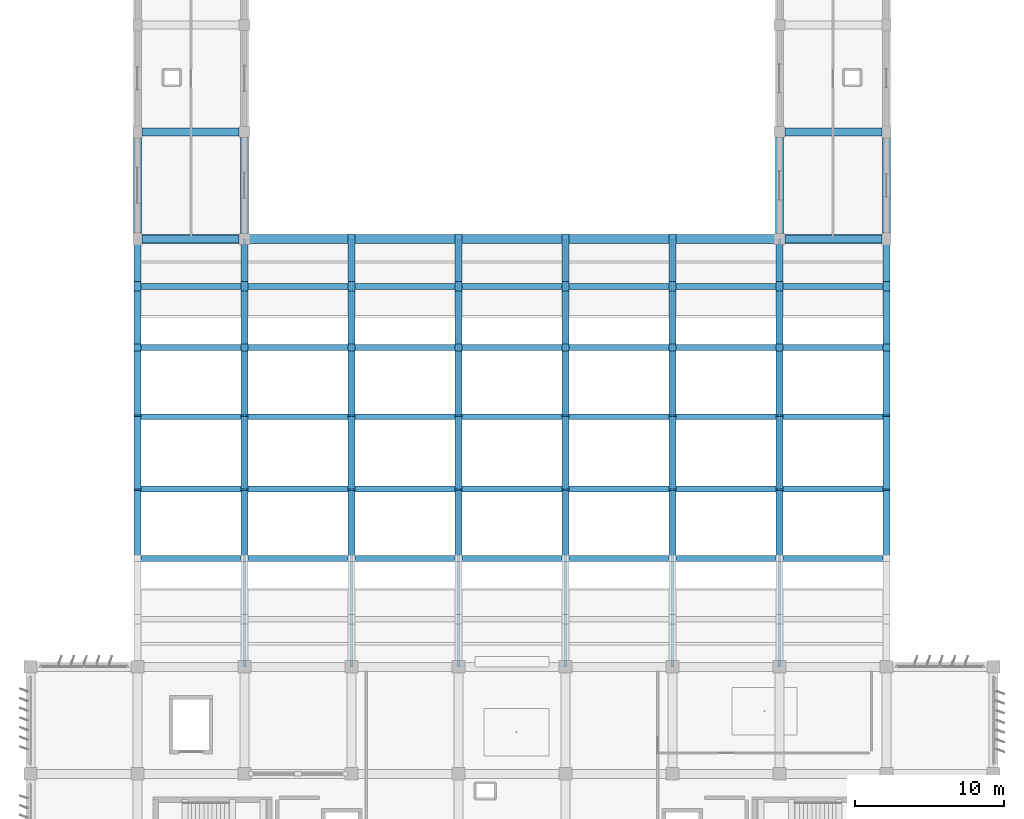
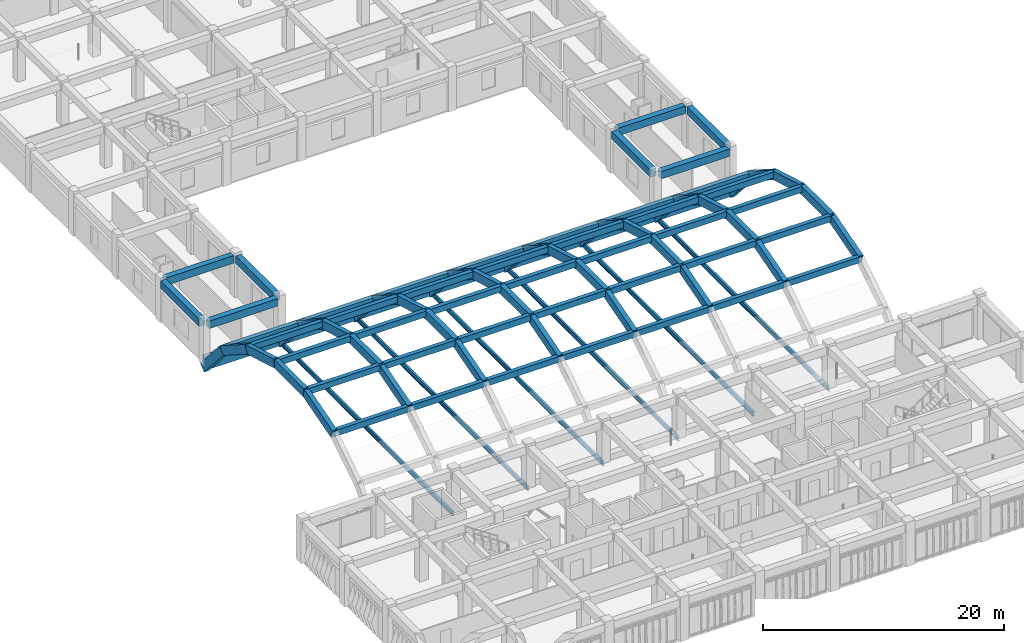
# One storey, part 20 of 48: 96 beams.
"""IFC4 building model written with IfcOpenShell, lengths in metres."""

from ifc_helpers import new_model, si_unit, direction, frame, origin, origin_2d, place, context, subcontext, project, spatial, rectangle, i_section, extrude, material, material_profile, profile_set, type_object, element, save


model = new_model("IFC4")

# Units and contexts
model_context = context("Model", 3, precision=1e-05, world=origin(), true_north=direction((0.0, 1.0)))
body_context = subcontext(model_context, "Body", "Model", "MODEL_VIEW")
ifc_project = project(units=[si_unit("LENGTHUNIT", "METRE"), si_unit("AREAUNIT", "SQUARE_METRE"), si_unit("VOLUMEUNIT", "CUBIC_METRE"), si_unit("PLANEANGLEUNIT", "RADIAN"), si_unit("MASSUNIT", "GRAM", prefix="KILO")], contexts=[model_context])

# Site, building, storey
site_placement = place(None, origin())
site = spatial("IfcSite", under=ifc_project, at=site_placement, CompositionType="ELEMENT")
building_placement = place(site_placement, origin())
building = spatial("IfcBuilding", under=site, at=building_placement, Name="Kazehaya Institute of Natural Sciences", CompositionType="ELEMENT")
storey_placement = place(building_placement, frame((0.0, 0.0, 19.800048828125)))
storey = spatial("IfcBuildingStorey", under=building, at=storey_placement, Name="L04", CompositionType="ELEMENT", Elevation=19.800048828125)

# Beams
ifc_material_1 = material(Name="Concrete Fc36", Category="concrete")
ifc_material_profile_1 = material_profile(ifc_material_1, rectangle(XDim=0.449951171875, YDim=0.85009765625, at=origin_2d()), Name="RC-450x850")
ifc_profile_set_1 = profile_set([ifc_material_profile_1], Name="Concrete Fc36")
beam_type_1 = type_object("IfcBeamType", Name="BM-AR-450x850", PredefinedType="BEAM", material=ifc_profile_set_1)
beam_1_placement = place(storey_placement, frame((61.800048828125, 42.9033203125, 5.8369140625), z_axis=(0.0, 0.960035434208, 0.279878482677), x_axis=(-1.0, 0.0, 0.0)))
element("IfcBeam", 1, at=beam_1_placement, inside=storey, type_object=beam_type_1, Name="SH-VOL2 transverse arch rib SH-VOL2-RIB-61-05", PredefinedType="BEAM", context=body_context, shape_type="SweptSolid", body=[
    extrude(rectangle(XDim=0.449951171875, YDim=0.85009765625, at=origin_2d()), origin(), (0.0, 0.0, 1.0), 4.860595703125),
])
beam_2_placement = place(storey_placement, frame((61.800048828125, 47.569580078125, 7.197265625), z_axis=(0.0, 1.0, 0.0), x_axis=(-1.0, 0.0, 0.0)))
element("IfcBeam", 2, at=beam_2_placement, inside=storey, type_object=beam_type_1, Name="SH-VOL2 transverse arch rib SH-VOL2-RIB-61-07", PredefinedType="BEAM", context=body_context, shape_type="SweptSolid", body=[
    extrude(rectangle(XDim=0.449951171875, YDim=0.85009765625, at=origin_2d()), origin(), (0.0, 0.0, 1.0), 4.86083984375),
])
for number, where, z_axis, x_axis, name in (
    (3, (61.800048828125, 52.430419921875, 7.197265625), (0.0, 0.960035434208, -0.279878482677), (-1.0, 0.0, 0.0), "SH-VOL2 transverse arch rib SH-VOL2-RIB-61-09"),
    (4, (61.800048828125, 57.0966796875, 5.8369140625), (0.0, 0.843332482097, -0.537392151636), (-1.0, 0.0, 0.0), "SH-VOL2 transverse arch rib SH-VOL2-RIB-61-11"),
):
    element("IfcBeam", number, at=place(storey_placement, frame(where, z_axis=z_axis, x_axis=x_axis)), inside=storey, type_object=beam_type_1, Name=name, PredefinedType="BEAM", context=body_context, shape_type="SweptSolid", body=[
        extrude(rectangle(XDim=0.449951171875, YDim=0.85009765625, at=origin_2d()), origin(), (0.0, 0.0, 1.0), 4.860595703125),
    ])
beam_3_placement = place(storey_placement, frame((61.800048828125, 61.19580078125, 3.224853515625), z_axis=(0.0, 0.659222645841, -0.751947806175), x_axis=(-1.0, 0.0, 0.0)))
element("IfcBeam", 5, at=beam_3_placement, inside=storey, type_object=beam_type_1, Name="SH-VOL2 transverse arch rib SH-VOL2-RIB-61-13", PredefinedType="BEAM", context=body_context, shape_type="SweptSolid", body=[
    extrude(rectangle(XDim=0.449951171875, YDim=0.85009765625, at=origin_2d()), origin(), (0.0, 0.0, 1.0), 4.8603515625),
])
beam_4_placement = place(storey_placement, frame((69.0, 42.9033203125, 5.8369140625), z_axis=(0.0, 0.960035434208, 0.279878482677), x_axis=(-1.0, 0.0, 0.0)))
element("IfcBeam", 6, at=beam_4_placement, inside=storey, type_object=beam_type_1, Name="SH-VOL2 transverse arch rib SH-VOL2-RIB-69-05", PredefinedType="BEAM", context=body_context, shape_type="SweptSolid", body=[
    extrude(rectangle(XDim=0.449951171875, YDim=0.85009765625, at=origin_2d()), origin(), (0.0, 0.0, 1.0), 4.860595703125),
])
beam_5_placement = place(storey_placement, frame((69.0, 47.569580078125, 7.197265625), z_axis=(0.0, 1.0, 0.0), x_axis=(-1.0, 0.0, 0.0)))
element("IfcBeam", 7, at=beam_5_placement, inside=storey, type_object=beam_type_1, Name="SH-VOL2 transverse arch rib SH-VOL2-RIB-69-07", PredefinedType="BEAM", context=body_context, shape_type="SweptSolid", body=[
    extrude(rectangle(XDim=0.449951171875, YDim=0.85009765625, at=origin_2d()), origin(), (0.0, 0.0, 1.0), 4.86083984375),
])
for number, where, z_axis, x_axis, name in (
    (8, (69.0, 52.430419921875, 7.197265625), (0.0, 0.960035434208, -0.279878482677), (-1.0, 0.0, 0.0), "SH-VOL2 transverse arch rib SH-VOL2-RIB-69-09"),
    (9, (69.0, 57.0966796875, 5.8369140625), (0.0, 0.843332482097, -0.537392151636), (-1.0, 0.0, 0.0), "SH-VOL2 transverse arch rib SH-VOL2-RIB-69-11"),
):
    element("IfcBeam", number, at=place(storey_placement, frame(where, z_axis=z_axis, x_axis=x_axis)), inside=storey, type_object=beam_type_1, Name=name, PredefinedType="BEAM", context=body_context, shape_type="SweptSolid", body=[
        extrude(rectangle(XDim=0.449951171875, YDim=0.85009765625, at=origin_2d()), origin(), (0.0, 0.0, 1.0), 4.860595703125),
    ])
beam_6_placement = place(storey_placement, frame((69.0, 61.19580078125, 3.224853515625), z_axis=(0.0, 0.659222645841, -0.751947806175), x_axis=(-1.0, 0.0, 0.0)))
element("IfcBeam", 10, at=beam_6_placement, inside=storey, type_object=beam_type_1, Name="SH-VOL2 transverse arch rib SH-VOL2-RIB-69-13", PredefinedType="BEAM", context=body_context, shape_type="SweptSolid", body=[
    extrude(rectangle(XDim=0.449951171875, YDim=0.85009765625, at=origin_2d()), origin(), (0.0, 0.0, 1.0), 4.8603515625),
])
beam_7_placement = place(storey_placement, frame((76.199951171875, 42.9033203125, 5.8369140625), z_axis=(0.0, 0.960035434208, 0.279878482677), x_axis=(-1.0, 0.0, 0.0)))
element("IfcBeam", 11, at=beam_7_placement, inside=storey, type_object=beam_type_1, Name="SH-VOL2 transverse arch rib SH-VOL2-RIB-76-05", PredefinedType="BEAM", context=body_context, shape_type="SweptSolid", body=[
    extrude(rectangle(XDim=0.449951171875, YDim=0.85009765625, at=origin_2d()), origin(), (0.0, 0.0, 1.0), 4.860595703125),
])
beam_8_placement = place(storey_placement, frame((76.199951171875, 47.569580078125, 7.197265625), z_axis=(0.0, 1.0, 0.0), x_axis=(-1.0, 0.0, 0.0)))
element("IfcBeam", 12, at=beam_8_placement, inside=storey, type_object=beam_type_1, Name="SH-VOL2 transverse arch rib SH-VOL2-RIB-76-07", PredefinedType="BEAM", context=body_context, shape_type="SweptSolid", body=[
    extrude(rectangle(XDim=0.449951171875, YDim=0.85009765625, at=origin_2d()), origin(), (0.0, 0.0, 1.0), 4.86083984375),
])
for number, where, z_axis, x_axis, name in (
    (13, (76.199951171875, 52.430419921875, 7.197265625), (0.0, 0.960035434208, -0.279878482677), (-1.0, 0.0, 0.0), "SH-VOL2 transverse arch rib SH-VOL2-RIB-76-09"),
    (14, (76.199951171875, 57.0966796875, 5.8369140625), (0.0, 0.843332482097, -0.537392151636), (-1.0, 0.0, 0.0), "SH-VOL2 transverse arch rib SH-VOL2-RIB-76-11"),
):
    element("IfcBeam", number, at=place(storey_placement, frame(where, z_axis=z_axis, x_axis=x_axis)), inside=storey, type_object=beam_type_1, Name=name, PredefinedType="BEAM", context=body_context, shape_type="SweptSolid", body=[
        extrude(rectangle(XDim=0.449951171875, YDim=0.85009765625, at=origin_2d()), origin(), (0.0, 0.0, 1.0), 4.860595703125),
    ])
beam_9_placement = place(storey_placement, frame((76.199951171875, 61.19580078125, 3.224853515625), z_axis=(0.0, 0.659222645841, -0.751947806175), x_axis=(-1.0, 0.0, 0.0)))
element("IfcBeam", 15, at=beam_9_placement, inside=storey, type_object=beam_type_1, Name="SH-VOL2 transverse arch rib SH-VOL2-RIB-76-13", PredefinedType="BEAM", context=body_context, shape_type="SweptSolid", body=[
    extrude(rectangle(XDim=0.449951171875, YDim=0.85009765625, at=origin_2d()), origin(), (0.0, 0.0, 1.0), 4.8603515625),
])
beam_10_placement = place(storey_placement, frame((83.39990234375, 42.9033203125, 5.8369140625), z_axis=(0.0, 0.960035434208, 0.279878482677), x_axis=(-1.0, 0.0, 0.0)))
element("IfcBeam", 16, at=beam_10_placement, inside=storey, type_object=beam_type_1, Name="SH-VOL2 transverse arch rib SH-VOL2-RIB-83-05", PredefinedType="BEAM", context=body_context, shape_type="SweptSolid", body=[
    extrude(rectangle(XDim=0.449951171875, YDim=0.85009765625, at=origin_2d()), origin(), (0.0, 0.0, 1.0), 4.860595703125),
])
beam_11_placement = place(storey_placement, frame((83.39990234375, 47.569580078125, 7.197265625), z_axis=(0.0, 1.0, 0.0), x_axis=(-1.0, 0.0, 0.0)))
element("IfcBeam", 17, at=beam_11_placement, inside=storey, type_object=beam_type_1, Name="SH-VOL2 transverse arch rib SH-VOL2-RIB-83-07", PredefinedType="BEAM", context=body_context, shape_type="SweptSolid", body=[
    extrude(rectangle(XDim=0.449951171875, YDim=0.85009765625, at=origin_2d()), origin(), (0.0, 0.0, 1.0), 4.86083984375),
])
for number, where, z_axis, x_axis, name in (
    (18, (83.39990234375, 52.430419921875, 7.197265625), (0.0, 0.960035434208, -0.279878482677), (-1.0, 0.0, 0.0), "SH-VOL2 transverse arch rib SH-VOL2-RIB-83-09"),
    (19, (83.39990234375, 57.0966796875, 5.8369140625), (0.0, 0.843332482097, -0.537392151636), (-1.0, 0.0, 0.0), "SH-VOL2 transverse arch rib SH-VOL2-RIB-83-11"),
):
    element("IfcBeam", number, at=place(storey_placement, frame(where, z_axis=z_axis, x_axis=x_axis)), inside=storey, type_object=beam_type_1, Name=name, PredefinedType="BEAM", context=body_context, shape_type="SweptSolid", body=[
        extrude(rectangle(XDim=0.449951171875, YDim=0.85009765625, at=origin_2d()), origin(), (0.0, 0.0, 1.0), 4.860595703125),
    ])
beam_12_placement = place(storey_placement, frame((83.39990234375, 61.19580078125, 3.224853515625), z_axis=(0.0, 0.659222645841, -0.751947806175), x_axis=(-1.0, 0.0, 0.0)))
element("IfcBeam", 20, at=beam_12_placement, inside=storey, type_object=beam_type_1, Name="SH-VOL2 transverse arch rib SH-VOL2-RIB-83-13", PredefinedType="BEAM", context=body_context, shape_type="SweptSolid", body=[
    extrude(rectangle(XDim=0.449951171875, YDim=0.85009765625, at=origin_2d()), origin(), (0.0, 0.0, 1.0), 4.8603515625),
])
beam_13_placement = place(storey_placement, frame((90.60009765625, 42.9033203125, 5.8369140625), z_axis=(0.0, 0.960035434208, 0.279878482677), x_axis=(-1.0, 0.0, 0.0)))
element("IfcBeam", 21, at=beam_13_placement, inside=storey, type_object=beam_type_1, Name="SH-VOL2 transverse arch rib SH-VOL2-RIB-90-05", PredefinedType="BEAM", context=body_context, shape_type="SweptSolid", body=[
    extrude(rectangle(XDim=0.449951171875, YDim=0.85009765625, at=origin_2d()), origin(), (0.0, 0.0, 1.0), 4.860595703125),
])
beam_14_placement = place(storey_placement, frame((90.60009765625, 47.569580078125, 7.197265625), z_axis=(0.0, 1.0, 0.0), x_axis=(-1.0, 0.0, 0.0)))
element("IfcBeam", 22, at=beam_14_placement, inside=storey, type_object=beam_type_1, Name="SH-VOL2 transverse arch rib SH-VOL2-RIB-90-07", PredefinedType="BEAM", context=body_context, shape_type="SweptSolid", body=[
    extrude(rectangle(XDim=0.449951171875, YDim=0.85009765625, at=origin_2d()), origin(), (0.0, 0.0, 1.0), 4.86083984375),
])
for number, where, z_axis, x_axis, name in (
    (23, (90.60009765625, 52.430419921875, 7.197265625), (0.0, 0.960035434208, -0.279878482677), (-1.0, 0.0, 0.0), "SH-VOL2 transverse arch rib SH-VOL2-RIB-90-09"),
    (24, (90.60009765625, 57.0966796875, 5.8369140625), (0.0, 0.843332482097, -0.537392151636), (-1.0, 0.0, 0.0), "SH-VOL2 transverse arch rib SH-VOL2-RIB-90-11"),
):
    element("IfcBeam", number, at=place(storey_placement, frame(where, z_axis=z_axis, x_axis=x_axis)), inside=storey, type_object=beam_type_1, Name=name, PredefinedType="BEAM", context=body_context, shape_type="SweptSolid", body=[
        extrude(rectangle(XDim=0.449951171875, YDim=0.85009765625, at=origin_2d()), origin(), (0.0, 0.0, 1.0), 4.860595703125),
    ])
beam_15_placement = place(storey_placement, frame((90.60009765625, 61.19580078125, 3.224853515625), z_axis=(0.0, 0.659222645841, -0.751947806175), x_axis=(-1.0, 0.0, 0.0)))
element("IfcBeam", 25, at=beam_15_placement, inside=storey, type_object=beam_type_1, Name="SH-VOL2 transverse arch rib SH-VOL2-RIB-90-13", PredefinedType="BEAM", context=body_context, shape_type="SweptSolid", body=[
    extrude(rectangle(XDim=0.449951171875, YDim=0.85009765625, at=origin_2d()), origin(), (0.0, 0.0, 1.0), 4.8603515625),
])
beam_16_placement = place(storey_placement, frame((97.800048828125, 42.9033203125, 5.8369140625), z_axis=(0.0, 0.960035434208, 0.279878482677), x_axis=(-1.0, 0.0, 0.0)))
element("IfcBeam", 26, at=beam_16_placement, inside=storey, type_object=beam_type_1, Name="SH-VOL2 transverse arch rib SH-VOL2-RIB-97-05", PredefinedType="BEAM", context=body_context, shape_type="SweptSolid", body=[
    extrude(rectangle(XDim=0.449951171875, YDim=0.85009765625, at=origin_2d()), origin(), (0.0, 0.0, 1.0), 4.860595703125),
])
beam_17_placement = place(storey_placement, frame((97.800048828125, 47.569580078125, 7.197265625), z_axis=(0.0, 1.0, 0.0), x_axis=(-1.0, 0.0, 0.0)))
element("IfcBeam", 27, at=beam_17_placement, inside=storey, type_object=beam_type_1, Name="SH-VOL2 transverse arch rib SH-VOL2-RIB-97-07", PredefinedType="BEAM", context=body_context, shape_type="SweptSolid", body=[
    extrude(rectangle(XDim=0.449951171875, YDim=0.85009765625, at=origin_2d()), origin(), (0.0, 0.0, 1.0), 4.86083984375),
])
for number, where, z_axis, x_axis, name in (
    (28, (97.800048828125, 52.430419921875, 7.197265625), (0.0, 0.960035434208, -0.279878482677), (-1.0, 0.0, 0.0), "SH-VOL2 transverse arch rib SH-VOL2-RIB-97-09"),
    (29, (97.800048828125, 57.0966796875, 5.8369140625), (0.0, 0.843332482097, -0.537392151636), (-1.0, 0.0, 0.0), "SH-VOL2 transverse arch rib SH-VOL2-RIB-97-11"),
):
    element("IfcBeam", number, at=place(storey_placement, frame(where, z_axis=z_axis, x_axis=x_axis)), inside=storey, type_object=beam_type_1, Name=name, PredefinedType="BEAM", context=body_context, shape_type="SweptSolid", body=[
        extrude(rectangle(XDim=0.449951171875, YDim=0.85009765625, at=origin_2d()), origin(), (0.0, 0.0, 1.0), 4.860595703125),
    ])
beam_18_placement = place(storey_placement, frame((97.800048828125, 61.19580078125, 3.224853515625), z_axis=(0.0, 0.659222645841, -0.751947806175), x_axis=(-1.0, 0.0, 0.0)))
element("IfcBeam", 30, at=beam_18_placement, inside=storey, type_object=beam_type_1, Name="SH-VOL2 transverse arch rib SH-VOL2-RIB-97-13", PredefinedType="BEAM", context=body_context, shape_type="SweptSolid", body=[
    extrude(rectangle(XDim=0.449951171875, YDim=0.85009765625, at=origin_2d()), origin(), (0.0, 0.0, 1.0), 4.8603515625),
])
beam_19_placement = place(storey_placement, frame((105.0, 42.9033203125, 5.8369140625), z_axis=(0.0, 0.960035434208, 0.279878482677), x_axis=(-1.0, 0.0, 0.0)))
element("IfcBeam", 31, at=beam_19_placement, inside=storey, type_object=beam_type_1, Name="SH-VOL2 transverse arch rib SH-VOL2-RIB-105-05", PredefinedType="BEAM", context=body_context, shape_type="SweptSolid", body=[
    extrude(rectangle(XDim=0.449951171875, YDim=0.85009765625, at=origin_2d()), origin(), (0.0, 0.0, 1.0), 4.860595703125),
])
beam_20_placement = place(storey_placement, frame((105.0, 47.569580078125, 7.197265625), z_axis=(0.0, 1.0, 0.0), x_axis=(-1.0, 0.0, 0.0)))
element("IfcBeam", 32, at=beam_20_placement, inside=storey, type_object=beam_type_1, Name="SH-VOL2 transverse arch rib SH-VOL2-RIB-105-07", PredefinedType="BEAM", context=body_context, shape_type="SweptSolid", body=[
    extrude(rectangle(XDim=0.449951171875, YDim=0.85009765625, at=origin_2d()), origin(), (0.0, 0.0, 1.0), 4.86083984375),
])
for number, where, z_axis, x_axis, name in (
    (33, (105.0, 52.430419921875, 7.197265625), (0.0, 0.960035434208, -0.279878482677), (-1.0, 0.0, 0.0), "SH-VOL2 transverse arch rib SH-VOL2-RIB-105-09"),
    (34, (105.0, 57.0966796875, 5.8369140625), (0.0, 0.843332482097, -0.537392151636), (-1.0, 0.0, 0.0), "SH-VOL2 transverse arch rib SH-VOL2-RIB-105-11"),
):
    element("IfcBeam", number, at=place(storey_placement, frame(where, z_axis=z_axis, x_axis=x_axis)), inside=storey, type_object=beam_type_1, Name=name, PredefinedType="BEAM", context=body_context, shape_type="SweptSolid", body=[
        extrude(rectangle(XDim=0.449951171875, YDim=0.85009765625, at=origin_2d()), origin(), (0.0, 0.0, 1.0), 4.860595703125),
    ])
beam_21_placement = place(storey_placement, frame((105.0, 61.19580078125, 3.224853515625), z_axis=(0.0, 0.659222645841, -0.751947806175), x_axis=(-1.0, 0.0, 0.0)))
element("IfcBeam", 35, at=beam_21_placement, inside=storey, type_object=beam_type_1, Name="SH-VOL2 transverse arch rib SH-VOL2-RIB-105-13", PredefinedType="BEAM", context=body_context, shape_type="SweptSolid", body=[
    extrude(rectangle(XDim=0.449951171875, YDim=0.85009765625, at=origin_2d()), origin(), (0.0, 0.0, 1.0), 4.8603515625),
])
beam_22_placement = place(storey_placement, frame((112.199951171875, 42.9033203125, 5.8369140625), z_axis=(0.0, 0.960035434208, 0.279878482677), x_axis=(-1.0, 0.0, 0.0)))
element("IfcBeam", 36, at=beam_22_placement, inside=storey, type_object=beam_type_1, Name="SH-VOL2 transverse arch rib SH-VOL2-RIB-112-05", PredefinedType="BEAM", context=body_context, shape_type="SweptSolid", body=[
    extrude(rectangle(XDim=0.449951171875, YDim=0.85009765625, at=origin_2d()), origin(), (0.0, 0.0, 1.0), 4.860595703125),
])
beam_23_placement = place(storey_placement, frame((112.199951171875, 47.569580078125, 7.197265625), z_axis=(0.0, 1.0, 0.0), x_axis=(-1.0, 0.0, 0.0)))
element("IfcBeam", 37, at=beam_23_placement, inside=storey, type_object=beam_type_1, Name="SH-VOL2 transverse arch rib SH-VOL2-RIB-112-07", PredefinedType="BEAM", context=body_context, shape_type="SweptSolid", body=[
    extrude(rectangle(XDim=0.449951171875, YDim=0.85009765625, at=origin_2d()), origin(), (0.0, 0.0, 1.0), 4.86083984375),
])
for number, where, z_axis, x_axis, name in (
    (38, (112.199951171875, 52.430419921875, 7.197265625), (0.0, 0.960035434208, -0.279878482677), (-1.0, 0.0, 0.0), "SH-VOL2 transverse arch rib SH-VOL2-RIB-112-09"),
    (39, (112.199951171875, 57.0966796875, 5.8369140625), (0.0, 0.843332482097, -0.537392151636), (-1.0, 0.0, 0.0), "SH-VOL2 transverse arch rib SH-VOL2-RIB-112-11"),
):
    element("IfcBeam", number, at=place(storey_placement, frame(where, z_axis=z_axis, x_axis=x_axis)), inside=storey, type_object=beam_type_1, Name=name, PredefinedType="BEAM", context=body_context, shape_type="SweptSolid", body=[
        extrude(rectangle(XDim=0.449951171875, YDim=0.85009765625, at=origin_2d()), origin(), (0.0, 0.0, 1.0), 4.860595703125),
    ])
beam_24_placement = place(storey_placement, frame((112.199951171875, 61.19580078125, 3.224853515625), z_axis=(0.0, 0.659222645841, -0.751947806175), x_axis=(-1.0, 0.0, 0.0)))
element("IfcBeam", 40, at=beam_24_placement, inside=storey, type_object=beam_type_1, Name="SH-VOL2 transverse arch rib SH-VOL2-RIB-112-13", PredefinedType="BEAM", context=body_context, shape_type="SweptSolid", body=[
    extrude(rectangle(XDim=0.449951171875, YDim=0.85009765625, at=origin_2d()), origin(), (0.0, 0.0, 1.0), 4.8603515625),
])
ifc_material_profile_2 = material_profile(ifc_material_1, rectangle(XDim=0.39990234375, YDim=0.60009765625, at=origin_2d()), Name="RC-400x600")
ifc_profile_set_2 = profile_set([ifc_material_profile_2], Name="Concrete Fc36")
beam_type_2 = type_object("IfcBeamType", Name="BM-B-400x600", PredefinedType="BEAM", material=ifc_profile_set_2)
for number, where, z_axis, x_axis, name in (
    (41, (61.800048828125, 42.9033203125, 5.95703125), (1.0, 0.0, 0.0), (0.0, 1.0, 0.0), "SH-VOL2 longitudinal shell rib 4"),
    (42, (61.800048828125, 47.569580078125, 7.3173828125), (1.0, 0.0, 0.0), (0.0, 1.0, 0.0), "SH-VOL2 longitudinal shell rib 6"),
    (43, (61.800048828125, 52.430419921875, 7.3173828125), (1.0, 0.0, 0.0), (0.0, 1.0, 0.0), "SH-VOL2 longitudinal shell rib 8"),
    (44, (61.800048828125, 57.0966796875, 5.95703125), (1.0, 0.0, 0.0), (0.0, 1.0, 0.0), "SH-VOL2 longitudinal shell rib 10"),
    (45, (61.800048828125, 61.19580078125, 3.344970703125), (1.0, 0.0, 0.0), (0.0, 1.0, 0.0), "SH-VOL2 longitudinal shell rib 12"),
    (46, (69.0, 42.9033203125, 5.95703125), (1.0, 0.0, 0.0), (0.0, 1.0, 0.0), "SH-VOL2 longitudinal shell rib 4"),
    (47, (69.0, 47.569580078125, 7.3173828125), (1.0, 0.0, 0.0), (0.0, 1.0, 0.0), "SH-VOL2 longitudinal shell rib 6"),
    (48, (69.0, 52.430419921875, 7.3173828125), (1.0, 0.0, 0.0), (0.0, 1.0, 0.0), "SH-VOL2 longitudinal shell rib 8"),
    (49, (69.0, 57.0966796875, 5.95703125), (1.0, 0.0, 0.0), (0.0, 1.0, 0.0), "SH-VOL2 longitudinal shell rib 10"),
    (50, (69.0, 61.19580078125, 3.344970703125), (1.0, 0.0, 0.0), (0.0, 1.0, 0.0), "SH-VOL2 longitudinal shell rib 12"),
    (51, (76.199951171875, 42.9033203125, 5.95703125), (1.0, 0.0, 0.0), (0.0, 1.0, 0.0), "SH-VOL2 longitudinal shell rib 4"),
    (52, (76.199951171875, 47.569580078125, 7.3173828125), (1.0, 0.0, 0.0), (0.0, 1.0, 0.0), "SH-VOL2 longitudinal shell rib 6"),
    (53, (76.199951171875, 52.430419921875, 7.3173828125), (1.0, 0.0, 0.0), (0.0, 1.0, 0.0), "SH-VOL2 longitudinal shell rib 8"),
    (54, (76.199951171875, 57.0966796875, 5.95703125), (1.0, 0.0, 0.0), (0.0, 1.0, 0.0), "SH-VOL2 longitudinal shell rib 10"),
    (55, (76.199951171875, 61.19580078125, 3.344970703125), (1.0, 0.0, 0.0), (0.0, 1.0, 0.0), "SH-VOL2 longitudinal shell rib 12"),
):
    element("IfcBeam", number, at=place(storey_placement, frame(where, z_axis=z_axis, x_axis=x_axis)), inside=storey, type_object=beam_type_2, Name=name, PredefinedType="BEAM", context=body_context, shape_type="SweptSolid", body=[
        extrude(rectangle(XDim=0.39990234375, YDim=0.60009765625, at=origin_2d()), origin(), (0.0, 0.0, 1.0), 7.199951171875),
    ])
for number, where, z_axis, x_axis, name in (
    (56, (83.39990234375, 42.9033203125, 5.95703125), (1.0, 0.0, 0.0), (0.0, 1.0, 0.0), "SH-VOL2 longitudinal shell rib 4"),
    (57, (83.39990234375, 47.569580078125, 7.3173828125), (1.0, 0.0, 0.0), (0.0, 1.0, 0.0), "SH-VOL2 longitudinal shell rib 6"),
    (58, (83.39990234375, 52.430419921875, 7.3173828125), (1.0, 0.0, 0.0), (0.0, 1.0, 0.0), "SH-VOL2 longitudinal shell rib 8"),
    (59, (83.39990234375, 57.0966796875, 5.95703125), (1.0, 0.0, 0.0), (0.0, 1.0, 0.0), "SH-VOL2 longitudinal shell rib 10"),
    (60, (83.39990234375, 61.19580078125, 3.344970703125), (1.0, 0.0, 0.0), (0.0, 1.0, 0.0), "SH-VOL2 longitudinal shell rib 12"),
):
    element("IfcBeam", number, at=place(storey_placement, frame(where, z_axis=z_axis, x_axis=x_axis)), inside=storey, type_object=beam_type_2, Name=name, PredefinedType="BEAM", context=body_context, shape_type="SweptSolid", body=[
        extrude(rectangle(XDim=0.39990234375, YDim=0.60009765625, at=origin_2d()), origin(), (0.0, 0.0, 1.0), 7.2001953125),
    ])
for number, where, z_axis, x_axis, name in (
    (61, (90.60009765625, 42.9033203125, 5.95703125), (1.0, 0.0, 0.0), (0.0, 1.0, 0.0), "SH-VOL2 longitudinal shell rib 4"),
    (62, (90.60009765625, 47.569580078125, 7.3173828125), (1.0, 0.0, 0.0), (0.0, 1.0, 0.0), "SH-VOL2 longitudinal shell rib 6"),
    (63, (90.60009765625, 52.430419921875, 7.3173828125), (1.0, 0.0, 0.0), (0.0, 1.0, 0.0), "SH-VOL2 longitudinal shell rib 8"),
    (64, (90.60009765625, 57.0966796875, 5.95703125), (1.0, 0.0, 0.0), (0.0, 1.0, 0.0), "SH-VOL2 longitudinal shell rib 10"),
    (65, (90.60009765625, 61.19580078125, 3.344970703125), (1.0, 0.0, 0.0), (0.0, 1.0, 0.0), "SH-VOL2 longitudinal shell rib 12"),
    (66, (97.800048828125, 42.9033203125, 5.95703125), (1.0, 0.0, 0.0), (0.0, 1.0, 0.0), "SH-VOL2 longitudinal shell rib 4"),
    (67, (97.800048828125, 47.569580078125, 7.3173828125), (1.0, 0.0, 0.0), (0.0, 1.0, 0.0), "SH-VOL2 longitudinal shell rib 6"),
    (68, (97.800048828125, 52.430419921875, 7.3173828125), (1.0, 0.0, 0.0), (0.0, 1.0, 0.0), "SH-VOL2 longitudinal shell rib 8"),
    (69, (97.800048828125, 57.0966796875, 5.95703125), (1.0, 0.0, 0.0), (0.0, 1.0, 0.0), "SH-VOL2 longitudinal shell rib 10"),
    (70, (97.800048828125, 61.19580078125, 3.344970703125), (1.0, 0.0, 0.0), (0.0, 1.0, 0.0), "SH-VOL2 longitudinal shell rib 12"),
    (71, (105.0, 42.9033203125, 5.95703125), (1.0, 0.0, 0.0), (0.0, 1.0, 0.0), "SH-VOL2 longitudinal shell rib 4"),
    (72, (105.0, 47.569580078125, 7.3173828125), (1.0, 0.0, 0.0), (0.0, 1.0, 0.0), "SH-VOL2 longitudinal shell rib 6"),
    (73, (105.0, 52.430419921875, 7.3173828125), (1.0, 0.0, 0.0), (0.0, 1.0, 0.0), "SH-VOL2 longitudinal shell rib 8"),
    (74, (105.0, 57.0966796875, 5.95703125), (1.0, 0.0, 0.0), (0.0, 1.0, 0.0), "SH-VOL2 longitudinal shell rib 10"),
    (75, (105.0, 61.19580078125, 3.344970703125), (1.0, 0.0, 0.0), (0.0, 1.0, 0.0), "SH-VOL2 longitudinal shell rib 12"),
):
    element("IfcBeam", number, at=place(storey_placement, frame(where, z_axis=z_axis, x_axis=x_axis)), inside=storey, type_object=beam_type_2, Name=name, PredefinedType="BEAM", context=body_context, shape_type="SweptSolid", body=[
        extrude(rectangle(XDim=0.39990234375, YDim=0.60009765625, at=origin_2d()), origin(), (0.0, 0.0, 1.0), 7.199951171875),
    ])
ifc_material_profile_3 = material_profile(ifc_material_1, rectangle(XDim=0.60009765625, YDim=1.199951171875, at=origin_2d()), Name="RC-600x1200")
ifc_profile_set_3 = profile_set([ifc_material_profile_3], Name="Concrete Fc36")
beam_type_3 = type_object("IfcBeamType", Name="BM-EB-600x1200", PredefinedType="BEAM", material=ifc_profile_set_3)
for number, where, z_axis, x_axis, name in (
    (76, (61.800048828125, 64.39990234375, 0.0), (1.0, 0.0, 0.0), (0.0, 1.0, 0.0), "SH-VOL2 centroidal shell edge beam SH-VOL2-EB-N-2317"),
    (77, (69.0, 64.39990234375, 0.0), (1.0, 0.0, 0.0), (0.0, 1.0, 0.0), "SH-VOL2 centroidal shell edge beam SH-VOL2-EB-N-2325"),
    (78, (76.199951171875, 64.39990234375, 0.0), (1.0, 0.0, 0.0), (0.0, 1.0, 0.0), "SH-VOL2 centroidal shell edge beam SH-VOL2-EB-N-2333"),
):
    element("IfcBeam", number, at=place(storey_placement, frame(where, z_axis=z_axis, x_axis=x_axis)), inside=storey, type_object=beam_type_3, Name=name, PredefinedType="BEAM", context=body_context, shape_type="SweptSolid", body=[
        extrude(rectangle(XDim=0.60009765625, YDim=1.199951171875, at=origin_2d()), origin(), (0.0, 0.0, 1.0), 7.199951171875),
    ])
beam_25_placement = place(storey_placement, frame((83.39990234375, 64.39990234375, 0.0), z_axis=(1.0, 0.0, 0.0), x_axis=(0.0, 1.0, 0.0)))
element("IfcBeam", 79, at=beam_25_placement, inside=storey, type_object=beam_type_3, Name="SH-VOL2 centroidal shell edge beam SH-VOL2-EB-N-2341", PredefinedType="BEAM", context=body_context, shape_type="SweptSolid", body=[
    extrude(rectangle(XDim=0.60009765625, YDim=1.199951171875, at=origin_2d()), origin(), (0.0, 0.0, 1.0), 7.2001953125),
])
for number, where, z_axis, x_axis, name in (
    (80, (90.60009765625, 64.39990234375, 0.0), (1.0, 0.0, 0.0), (0.0, 1.0, 0.0), "SH-VOL2 centroidal shell edge beam SH-VOL2-EB-N-2349"),
    (81, (97.800048828125, 64.39990234375, 0.0), (1.0, 0.0, 0.0), (0.0, 1.0, 0.0), "SH-VOL2 centroidal shell edge beam SH-VOL2-EB-N-2357"),
    (82, (105.0, 64.39990234375, 0.0), (1.0, 0.0, 0.0), (0.0, 1.0, 0.0), "SH-VOL2 centroidal shell edge beam SH-VOL2-EB-N-2365"),
):
    element("IfcBeam", number, at=place(storey_placement, frame(where, z_axis=z_axis, x_axis=x_axis)), inside=storey, type_object=beam_type_3, Name=name, PredefinedType="BEAM", context=body_context, shape_type="SweptSolid", body=[
        extrude(rectangle(XDim=0.60009765625, YDim=1.199951171875, at=origin_2d()), origin(), (0.0, 0.0, 1.0), 7.199951171875),
    ])
ifc_material_profile_4 = material_profile(ifc_material_1, rectangle(XDim=0.550048828125, YDim=0.75, at=origin_2d()), Name="RC-550x750")
ifc_profile_set_4 = profile_set([ifc_material_profile_4], Name="Concrete Fc36")
beam_type_4 = type_object("IfcBeamType", Name="BM-G-550x750", PredefinedType="BEAM", material=ifc_profile_set_4)
for number, where, z_axis, x_axis, name in (
    (83, (62.10009765625, 64.39990234375, 3.85498046875), (1.0, 0.0, 0.0), (0.0, 1.0, 0.0), "L04 primary X girder BMX-L04-618-644"),
    (84, (105.375, 64.39990234375, 3.85498046875), (1.0, 0.0, 0.0), (0.0, 1.0, 0.0), "L04 primary X girder BMX-L04-1050-644"),
    (85, (62.10009765625, 71.60009765625, 3.85498046875), (1.0, 0.0, 0.0), (0.0, 1.0, 0.0), "L04 primary X girder BMX-L04-618-716"),
    (86, (105.375, 71.60009765625, 3.85498046875), (1.0, 0.0, 0.0), (0.0, 1.0, 0.0), "L04 primary X girder BMX-L04-1050-716"),
):
    element("IfcBeam", number, at=place(storey_placement, frame(where, z_axis=z_axis, x_axis=x_axis)), inside=storey, type_object=beam_type_4, Name=name, PredefinedType="BEAM", context=body_context, shape_type="SweptSolid", body=[
        extrude(rectangle(XDim=0.550048828125, YDim=0.75, at=origin_2d()), origin(), (0.0, 0.0, 1.0), 6.52490234375),
    ])
beam_26_placement = place(storey_placement, frame((61.800048828125, 64.800048828125, 3.85498046875), z_axis=(0.0, 1.0, 0.0), x_axis=(-1.0, 0.0, 0.0)))
element("IfcBeam", 87, at=beam_26_placement, inside=storey, type_object=beam_type_4, Name="L04 primary Y girder BMY-L04-618-644", PredefinedType="BEAM", context=body_context, shape_type="SweptSolid", body=[
    extrude(rectangle(XDim=0.550048828125, YDim=0.75, at=origin_2d()), origin(), (0.0, 0.0, 1.0), 6.39990234375),
])
for number, where, z_axis, x_axis, name in (
    (88, (69.0, 64.77490234375, 3.85498046875), (0.0, 1.0, 0.0), (-1.0, 0.0, 0.0), "L04 primary Y girder BMY-L04-690-644"),
    (89, (105.0, 64.77490234375, 3.85498046875), (0.0, 1.0, 0.0), (-1.0, 0.0, 0.0), "L04 primary Y girder BMY-L04-1050-644"),
):
    element("IfcBeam", number, at=place(storey_placement, frame(where, z_axis=z_axis, x_axis=x_axis)), inside=storey, type_object=beam_type_4, Name=name, PredefinedType="BEAM", context=body_context, shape_type="SweptSolid", body=[
        extrude(rectangle(XDim=0.550048828125, YDim=0.75, at=origin_2d()), origin(), (0.0, 0.0, 1.0), 6.4501953125),
    ])
beam_27_placement = place(storey_placement, frame((112.199951171875, 64.800048828125, 3.85498046875), z_axis=(0.0, 1.0, 0.0), x_axis=(-1.0, 0.0, 0.0)))
element("IfcBeam", 90, at=beam_27_placement, inside=storey, type_object=beam_type_4, Name="L04 primary Y girder BMY-L04-1122-644", PredefinedType="BEAM", context=body_context, shape_type="SweptSolid", body=[
    extrude(rectangle(XDim=0.550048828125, YDim=0.75, at=origin_2d()), origin(), (0.0, 0.0, 1.0), 6.39990234375),
])
ifc_material_2 = material(Name="Structural steel SN490B", Category="steel")
ifc_material_profile_5 = material_profile(ifc_material_2, i_section(OverallWidth=0.199951171875, OverallDepth=0.449951171875, WebThickness=0.009033203125, FlangeThickness=0.013916015625, FilletRadius=0.01611328125, at=origin_2d()), Name="H-450x200x9x14")
ifc_profile_set_5 = profile_set([ifc_material_profile_5], Name="Structural steel SN490B")
beam_type_5 = type_object("IfcBeamType", Name="BM-STL-H450", PredefinedType="BEAM", material=ifc_profile_set_5)
for number, where, z_axis, x_axis, name in (
    (91, (69.0, 35.60009765625, -0.35009765625), (0.0, 1.0, 0.0), (-1.0, 0.0, 0.0), "SH-VOL2 arch springing tie beam at X=69.0m"),
    (92, (76.199951171875, 35.60009765625, -0.35009765625), (0.0, 1.0, 0.0), (-1.0, 0.0, 0.0), "SH-VOL2 arch springing tie beam at X=76.2m"),
    (93, (83.39990234375, 35.60009765625, -0.35009765625), (0.0, 1.0, 0.0), (-1.0, 0.0, 0.0), "SH-VOL2 arch springing tie beam at X=83.4m"),
    (94, (90.60009765625, 35.60009765625, -0.35009765625), (0.0, 1.0, 0.0), (-1.0, 0.0, 0.0), "SH-VOL2 arch springing tie beam at X=90.6m"),
    (95, (97.800048828125, 35.60009765625, -0.35009765625), (0.0, 1.0, 0.0), (-1.0, 0.0, 0.0), "SH-VOL2 arch springing tie beam at X=97.8m"),
    (96, (105.0, 35.60009765625, -0.35009765625), (0.0, 1.0, 0.0), (-1.0, 0.0, 0.0), "SH-VOL2 arch springing tie beam at X=105.0m"),
):
    element("IfcBeam", number, at=place(storey_placement, frame(where, z_axis=z_axis, x_axis=x_axis)), inside=storey, type_object=beam_type_5, Name=name, PredefinedType="BEAM", context=body_context, shape_type="SweptSolid", body=[
        extrude(i_section(OverallWidth=0.199951171875, OverallDepth=0.449951171875, WebThickness=0.009033203125, FlangeThickness=0.013916015625, FilletRadius=0.01611328125, at=origin_2d()), origin(), (0.0, 0.0, 1.0), 28.7998046875),
    ])

save(model, "model.ifc")
